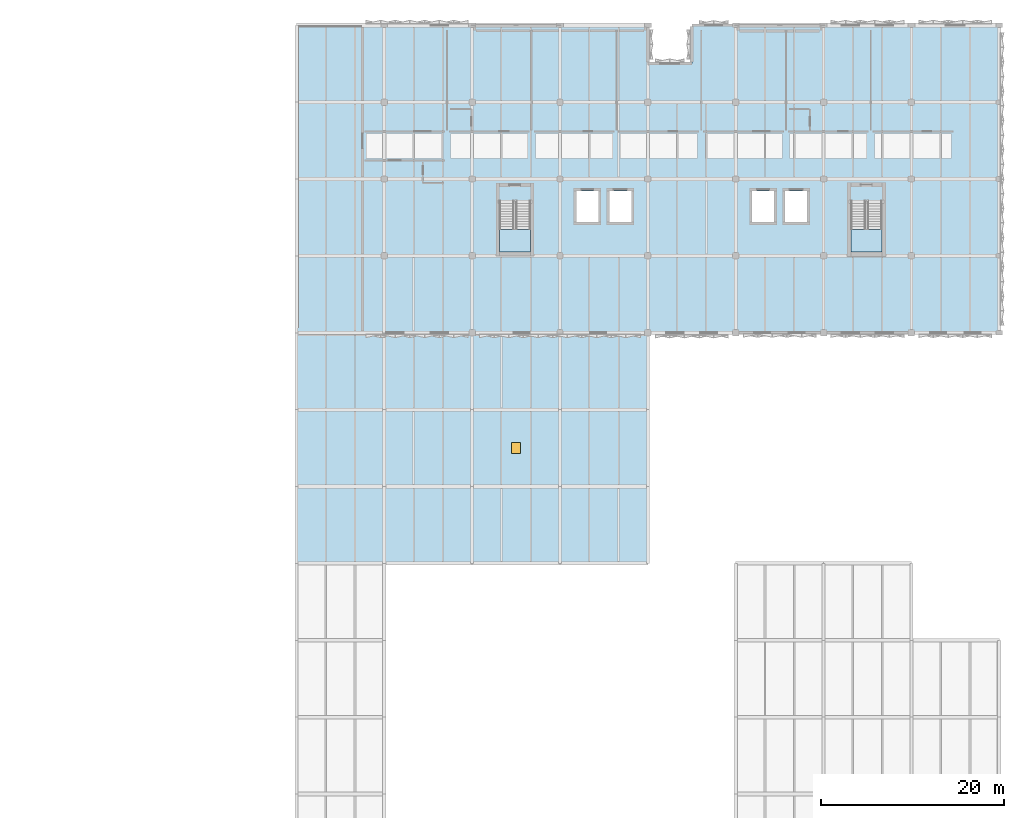
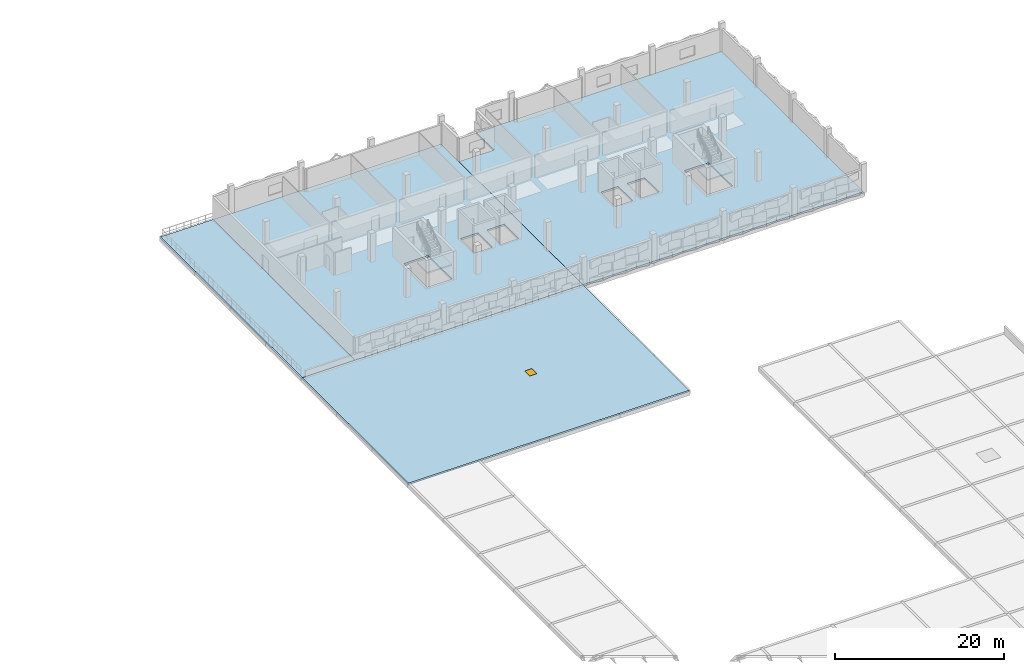
# One storey, part 8 of 24: 6 slabs, 1 door, 1 opening, 3 elements without a shape of their own.
"""IFC4 building model written with IfcOpenShell, lengths in metres."""

from ifc_helpers import new_model, si_unit, direction, frame, origin, origin_2d, place, context, subcontext, project, spatial, polyline, rectangle, outline, extrude, material, layer, layer_set, type_object, element, fill, aggregate, save


model = new_model("IFC4")

# Units and contexts
model_context = context("Model", 3, precision=1e-05, world=origin(), true_north=direction((0.0, 1.0)))
body_context = subcontext(model_context, "Body", "Model", "MODEL_VIEW")
ifc_project = project(units=[si_unit("LENGTHUNIT", "METRE"), si_unit("AREAUNIT", "SQUARE_METRE"), si_unit("VOLUMEUNIT", "CUBIC_METRE"), si_unit("PLANEANGLEUNIT", "RADIAN"), si_unit("MASSUNIT", "GRAM", prefix="KILO")], contexts=[model_context])

# Site, building, storey
site_placement = place(None, origin())
site = spatial("IfcSite", under=ifc_project, at=site_placement, CompositionType="ELEMENT")
building_placement = place(site_placement, origin())
building = spatial("IfcBuilding", under=site, at=building_placement, Name="Oolite Switchyard Hospital", CompositionType="ELEMENT")
storey_placement = place(building_placement, frame((0.0, 0.0, 22.0)))
storey = spatial("IfcBuildingStorey", under=building, at=storey_placement, Name="L05", CompositionType="ELEMENT", Elevation=22.0)

# Slabs
ifc_material_1 = material(Name="Concrete C40/50", Category="concrete")
ifc_layer_1 = layer(ifc_material_1, 0.27490234375)
ifc_layer_set_1 = layer_set([ifc_layer_1], Name="SLB-FLR-275")
slab_type_1 = type_object("IfcSlabType", Name="SLB-FLR-275", PredefinedType="FLOOR", material=ifc_layer_set_1)
slab_1_placement = place(storey_placement, frame((0.0, 0.0, -0.27490234375)))
element("IfcSlab", 1, at=slab_1_placement, inside=storey, type_object=slab_type_1, Name="L05 V5E Slab V5E1", PredefinedType="FLOOR", context=body_context, shape_type="SweptSolid", body=[
    extrude(outline(polyline([(141.60009765625, 100.800048828125), (172.800048828125, 100.800048828125), (172.800048828125, 134.39990234375), (141.60009765625, 134.39990234375), (141.60009765625, 100.800048828125)]), holes=[polyline([(156.60009765625, 115.18994140625), (156.60009765625, 109.60009765625), (159.9599609375, 109.60009765625), (159.9599609375, 115.18994140625), (156.60009765625, 115.18994140625)]), polyline([(165.0, 112.89990234375), (167.39990234375, 112.89990234375), (167.39990234375, 116.300048828125), (165.0, 116.300048828125), (165.0, 112.89990234375)]), polyline([(168.60009765625, 112.89990234375), (171.0, 112.89990234375), (171.0, 116.300048828125), (168.60009765625, 116.300048828125), (168.60009765625, 112.89990234375)])]), origin(), (0.0, 0.0, 1.0), 0.27490234375),
])
slab_2_placement = place(storey_placement, frame((0.0, 0.0, -0.27490234375)))
element("IfcSlab", 2, at=slab_2_placement, inside=storey, type_object=slab_type_1, Name="L05 V5E Slab V5E2", PredefinedType="FLOOR", context=body_context, shape_type="SweptSolid", body=[
    extrude(outline(polyline([(172.800048828125, 100.800048828125), (211.199951171875, 100.800048828125), (211.199951171875, 134.39990234375), (177.60009765625, 134.39990234375), (177.60009765625, 130.199951171875), (172.800048828125, 130.199951171875), (172.800048828125, 100.800048828125)]), holes=[polyline([(195.0, 115.18994140625), (195.0, 109.60009765625), (198.360107421875, 109.60009765625), (198.360107421875, 115.18994140625), (195.0, 115.18994140625)]), polyline([(184.199951171875, 112.89990234375), (186.60009765625, 112.89990234375), (186.60009765625, 116.300048828125), (184.199951171875, 116.300048828125), (184.199951171875, 112.89990234375)]), polyline([(187.800048828125, 112.89990234375), (190.199951171875, 112.89990234375), (190.199951171875, 116.300048828125), (187.800048828125, 116.300048828125), (187.800048828125, 112.89990234375)])]), origin(), (0.0, 0.0, 1.0), 0.27490234375),
])

# Stair, slab
stair_type = type_object("IfcStairType", Name="STR-DL-156-R24", PredefinedType="HALF_TURN_STAIR", material=ifc_material_1)
stair_1_placement = place(storey_placement, origin())
stair_1 = element("IfcStair", 3, at=stair_1_placement, inside=storey, type_object=stair_type, Name="L05 Exit Stair ST-03", PredefinedType="HALF_TURN_STAIR")
ifc_layer_2 = layer(ifc_material_1, 0.199951171875)
ifc_layer_set_2 = layer_set([ifc_layer_2], Name="SLB-LND-200")
slab_type_2 = type_object("IfcSlabType", Name="SLB-LND-200", PredefinedType="LANDING", material=ifc_layer_set_2)
slab_3_placement = place(storey_placement, frame((0.0, 0.0, 1.89990234375)))
slab_3 = element("IfcSlab", 4, at=slab_3_placement, type_object=slab_type_2, Name="ST-03 landing 1", PredefinedType="LANDING", context=body_context, shape_type="SweptSolid", body=[
    extrude(outline(polyline([(156.60009765625, 112.110107421875), (156.60009765625, 109.60009765625), (159.9599609375, 109.60009765625), (159.9599609375, 112.110107421875), (156.60009765625, 112.110107421875)])), origin(), (0.0, 0.0, 1.0), 0.2001953125),
])
aggregate(stair_1, [slab_3])

stair_2_placement = place(storey_placement, origin())
stair_2 = element("IfcStair", 5, at=stair_2_placement, inside=storey, type_object=stair_type, Name="L05 Exit Stair ST-04", PredefinedType="HALF_TURN_STAIR")
slab_4_placement = place(storey_placement, frame((0.0, 0.0, 1.89990234375)))
slab_4 = element("IfcSlab", 6, at=slab_4_placement, type_object=slab_type_2, Name="ST-04 landing 1", PredefinedType="LANDING", context=body_context, shape_type="SweptSolid", body=[
    extrude(outline(polyline([(195.0, 112.110107421875), (195.0, 109.60009765625), (198.360107421875, 109.60009765625), (198.360107421875, 112.110107421875), (195.0, 112.110107421875)])), origin(), (0.0, 0.0, 1.0), 0.2001953125),
])
aggregate(stair_2, [slab_4])

# Roof, slab, opening, door
roof_type = type_object("IfcRoofType", Name="ROOF-FLAT", PredefinedType="FLAT_ROOF", material=ifc_material_1)
roof_placement = place(storey_placement, origin())
roof = element("IfcRoof", 7, at=roof_placement, inside=storey, type_object=roof_type, Name="L05 Flat Cool Roof Assembly", PredefinedType="FLAT_ROOF")
ifc_layer_3 = layer(ifc_material_1, 0.235107421875)
ifc_layer_set_3 = layer_set([ifc_layer_3], Name="SLB-ROOF-235")
slab_type_3 = type_object("IfcSlabType", Name="SLB-ROOF-235", PredefinedType="ROOF", material=ifc_layer_set_3)
slab_5_placement = place(storey_placement, frame((0.0, 0.0, -0.235107421875)))
slab_5 = element("IfcSlab", 8, at=slab_5_placement, type_object=slab_type_3, Name="L05 V5E Slab V5ELR", PredefinedType="ROOF", context=body_context, shape_type="SweptSolid", body=[
    extrude(outline(polyline([(134.39990234375, 75.60009765625), (172.800048828125, 75.60009765625), (172.800048828125, 100.800048828125), (134.39990234375, 100.800048828125), (134.39990234375, 75.60009765625)])), origin(), (0.0, 0.0, 1.0), 0.235107421875),
])
opening_placement = place(slab_5_placement, frame((158.39990234375, 88.199951171875, 0.0)))
opening = element("IfcOpeningElement", 9, at=opening_placement, cuts=slab_5, Name="Opening HTD-04", PredefinedType="OPENING", context=body_context, shape_type="SweptSolid", body=[
    extrude(rectangle(XDim=1.0, YDim=1.199951171875, at=origin_2d()), frame((0.0, 0.0, -0.010009765625), z_axis=(0.0, 0.0, 1.0), x_axis=(1.0, 0.0, 0.0)), (0.0, 0.0, 1.0), 0.255126953125),
])
ifc_material_2 = material(Name="Insulated marine-grade aluminum roof access hatch", Category="aluminium")
door_type = type_object("IfcDoorType", Name="HT-RF-100X120", OperationType="NOTDEFINED", PredefinedType="TRAPDOOR", material=ifc_material_2)
door_placement = place(opening_placement, frame((0.0, 0.0, 0.18505859375)))
door = element("IfcDoor", 10, at=door_placement, inside=storey, type_object=door_type, Name="L05 Maintenance Roof Access Hatch HTD-04", OperationType="SINGLE_SWING_LEFT", OverallHeight=1.199951171875, OverallWidth=1.0, PredefinedType="TRAPDOOR", context=body_context, shape_type="SweptSolid", body=[
    extrude(rectangle(XDim=1.0, YDim=1.199951171875, at=origin_2d()), origin(), (0.0, 0.0, 1.0), 0.050048828125),
])
fill(opening, door)
aggregate(roof, [slab_5])

# Slab
ifc_layer_4 = layer(ifc_material_1, 0.264892578125)
ifc_layer_set_4 = layer_set([ifc_layer_4], Name="SLB-TER-265")
slab_type_4 = type_object("IfcSlabType", Name="SLB-TER-265", PredefinedType="FLOOR", material=ifc_layer_set_4)
slab_6_placement = place(storey_placement, frame((0.0, 0.0, -0.264892578125)))
element("IfcSlab", 11, at=slab_6_placement, inside=storey, type_object=slab_type_4, Name="L05 V5E Slab V5ET", PredefinedType="FLOOR", context=body_context, shape_type="SweptSolid", body=[
    extrude(outline(polyline([(134.39990234375, 100.800048828125), (141.60009765625, 100.800048828125), (141.60009765625, 134.39990234375), (134.39990234375, 134.39990234375), (134.39990234375, 100.800048828125)])), origin(), (0.0, 0.0, 1.0), 0.264892578125),
])

save(model, "model.ifc")
